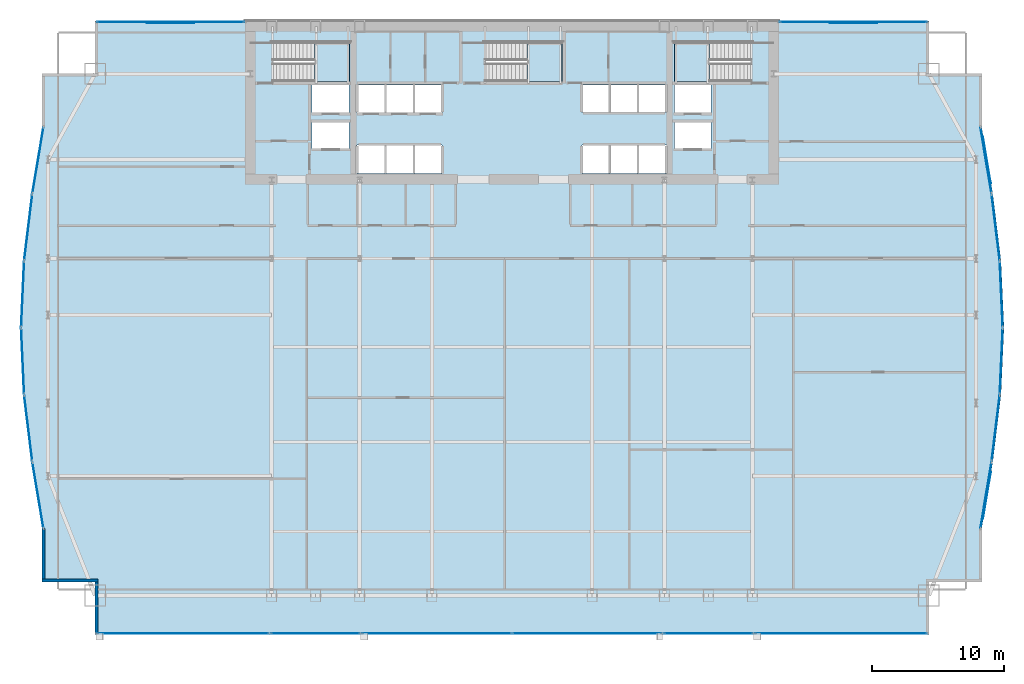
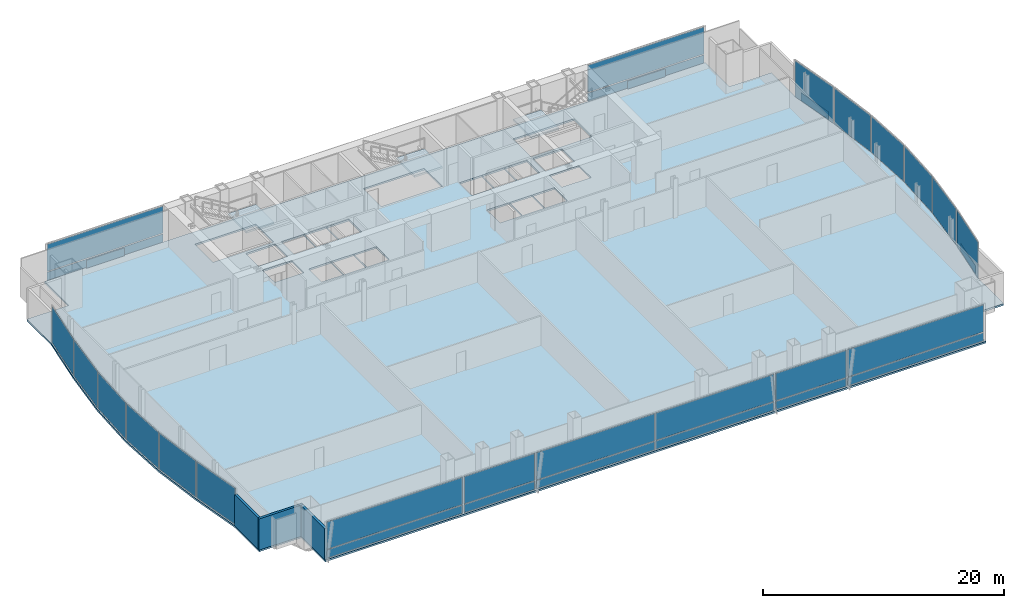
# One storey, part 25 of 32: 32 plates, 4 slabs, 3 walls, 22 elements without a shape of their own.
"""IFC4 building model written with IfcOpenShell, lengths in metres."""

from ifc_helpers import new_model, si_unit, direction, frame, frame_2d, origin, origin_2d, place, context, subcontext, project, spatial, polyline, rectangle, outline, extrude, material, layer, layer_set, type_object, element, aggregate, save


model = new_model("IFC4")

# Units and contexts
model_context = context("Model", 3, precision=1e-05, world=origin(), true_north=direction((0.0, 1.0)))
body_context = subcontext(model_context, "Body", "Model", "MODEL_VIEW")
ifc_project = project(units=[si_unit("LENGTHUNIT", "METRE"), si_unit("AREAUNIT", "SQUARE_METRE"), si_unit("VOLUMEUNIT", "CUBIC_METRE"), si_unit("PLANEANGLEUNIT", "RADIAN"), si_unit("MASSUNIT", "GRAM", prefix="KILO")], contexts=[model_context])

# Site, building, storey
site_placement = place(None, origin())
site = spatial("IfcSite", under=ifc_project, at=site_placement, CompositionType="ELEMENT")
building_placement = place(site_placement, origin())
building = spatial("IfcBuilding", under=site, at=building_placement, Name="Khoronbel Lancet Exchange", CompositionType="ELEMENT")
storey_placement = place(building_placement, frame((0.0, 0.0, 41.800048828125)))
storey = spatial("IfcBuildingStorey", under=building, at=storey_placement, Name="L09", CompositionType="ELEMENT", Elevation=41.800048828125)

# Curtain wall, plate
ifc_material_1 = material(Name="Low-E Solar Control Insulating Glass", Category="glass")
curtain_wall_type_1 = type_object("IfcCurtainWallType", Name="CW-4", PredefinedType="NOTDEFINED", material=ifc_material_1)
curtain_wall_1_placement = place(storey_placement, origin())
curtain_wall_1 = element("IfcCurtainWall", 1, at=curtain_wall_1_placement, inside=storey, type_object=curtain_wall_type_1, Name="Unitised curtain wall CW-L09-E05", PredefinedType="NOTDEFINED")
ifc_material_2 = material(Name="Bronze-Anodised Aluminium 6063-T6", Category="aluminium")
ifc_layer_1 = layer(ifc_material_2, 0.050048828125, Name="Bronze-Anodised Aluminium 6063-T6")
ifc_layer_set_1 = layer_set([ifc_layer_1], Name="Bronze-Anodised Aluminium 6063-T6")
plate_type_1 = type_object("IfcPlateType", Name="PLT-CSP1", PredefinedType="SHEET", material=ifc_layer_set_1)
plate_1_placement = place(storey_placement, frame((-0.21923828125, 22.835205078125, 0.0849609375), z_axis=(0.0, 0.0, 1.0), x_axis=(-0.121253090432, 0.992621623813, 0.0)))
plate_1 = element("IfcPlate", 2, at=plate_1_placement, type_object=plate_type_1, Name="CW4 panel 1.1", PredefinedType="CURTAIN_PANEL", context=body_context, shape_type="SweptSolid", body=[
    extrude(rectangle(XDim=4.9658203125, YDim=0.0380859375, at=origin_2d()), origin(), (0.0, 0.0, 1.0), 3.64990234375),
])
aggregate(curtain_wall_1, [plate_1])

curtain_wall_2_placement = place(storey_placement, origin())
curtain_wall_2 = element("IfcCurtainWall", 3, at=curtain_wall_2_placement, inside=storey, type_object=curtain_wall_type_1, Name="Unitised curtain wall CW-L09-E06", PredefinedType="NOTDEFINED")
plate_2_placement = place(storey_placement, frame((-0.64306640625, 27.912109375, 0.0849609375), z_axis=(0.0, 0.0, 1.0), x_axis=(-0.044677357922, 0.999001468312, 0.0)))
plate_2 = element("IfcPlate", 4, at=plate_2_placement, type_object=plate_type_1, Name="CW4 panel 1.1", PredefinedType="CURTAIN_PANEL", context=body_context, shape_type="SweptSolid", body=[
    extrude(rectangle(XDim=4.930908203125, YDim=0.0380859375, at=origin_2d()), origin(), (0.0, 0.0, 1.0), 3.64990234375),
])
aggregate(curtain_wall_2, [plate_2])

curtain_wall_3_placement = place(storey_placement, origin())
curtain_wall_3 = element("IfcCurtainWall", 5, at=curtain_wall_3_placement, inside=storey, type_object=curtain_wall_type_1, Name="Unitised curtain wall CW-L09-E07", PredefinedType="NOTDEFINED")
plate_3_placement = place(storey_placement, frame((-0.64306640625, 32.98779296875, 0.0849609375), z_axis=(0.0, 0.0, 1.0), x_axis=(0.044677357922, 0.999001468312, 0.0)))
plate_3 = element("IfcPlate", 6, at=plate_3_placement, type_object=plate_type_1, Name="CW4 panel 1.1", PredefinedType="CURTAIN_PANEL", context=body_context, shape_type="SweptSolid", body=[
    extrude(rectangle(XDim=4.930908203125, YDim=0.0380859375, at=origin_2d()), origin(), (0.0, 0.0, 1.0), 3.64990234375),
])
aggregate(curtain_wall_3, [plate_3])

curtain_wall_4_placement = place(storey_placement, origin())
curtain_wall_4 = element("IfcCurtainWall", 7, at=curtain_wall_4_placement, inside=storey, type_object=curtain_wall_type_1, Name="Unitised curtain wall CW-L09-E08", PredefinedType="NOTDEFINED")
plate_4_placement = place(storey_placement, frame((-0.21923828125, 38.064697265625, 0.0849609375), z_axis=(0.0, 0.0, 1.0), x_axis=(0.121253090432, 0.992621623813, 0.0)))
plate_4 = element("IfcPlate", 8, at=plate_4_placement, type_object=plate_type_1, Name="CW4 panel 1.1", PredefinedType="CURTAIN_PANEL", context=body_context, shape_type="SweptSolid", body=[
    extrude(rectangle(XDim=4.9658203125, YDim=0.0380859375, at=origin_2d()), origin(), (0.0, 0.0, 1.0), 3.64990234375),
])
aggregate(curtain_wall_4, [plate_4])

curtain_wall_type_2 = type_object("IfcCurtainWallType", Name="CW-1", PredefinedType="NOTDEFINED", material=ifc_material_1)
curtain_wall_5_placement = place(storey_placement, origin())
curtain_wall_5 = element("IfcCurtainWall", 9, at=curtain_wall_5_placement, inside=storey, type_object=curtain_wall_type_2, Name="Unitised curtain wall CW-L09-NWFLK", PredefinedType="NOTDEFINED")
plate_5_placement = place(storey_placement, frame((10.580078125, 53.550048828125, 0.0498046875), z_axis=(0.0, 0.0, 1.0), x_axis=(-1.0, 0.0, 0.0)))
plate_5 = element("IfcPlate", 10, at=plate_5_placement, type_object=plate_type_1, Name="Insulated bronze spandrel cassette CW-L09-NWFLK", PredefinedType="SHEET", context=body_context, shape_type="SweptSolid", body=[
    extrude(rectangle(XDim=3.60009765625, YDim=0.050048828125, at=origin_2d()), origin(), (0.0, 0.0, 1.0), 0.800048828125),
])

curtain_wall_6_placement = place(storey_placement, origin())
curtain_wall_6 = element("IfcCurtainWall", 11, at=curtain_wall_6_placement, inside=storey, type_object=curtain_wall_type_2, Name="Unitised curtain wall CW-L09-NEFLK", PredefinedType="NOTDEFINED")
plate_6_placement = place(storey_placement, frame((62.320068359375, 53.550048828125, 0.0498046875), z_axis=(0.0, 0.0, 1.0), x_axis=(-1.0, 0.0, 0.0)))
plate_6 = element("IfcPlate", 12, at=plate_6_placement, type_object=plate_type_1, Name="Insulated bronze spandrel cassette CW-L09-NEFLK", PredefinedType="SHEET", context=body_context, shape_type="SweptSolid", body=[
    extrude(rectangle(XDim=3.60009765625, YDim=0.050048828125, at=origin_2d()), origin(), (0.0, 0.0, 1.0), 0.800048828125),
])

curtain_wall_7_placement = place(storey_placement, origin())
curtain_wall_7 = element("IfcCurtainWall", 13, at=curtain_wall_7_placement, inside=storey, type_object=curtain_wall_type_1, Name="Unitised curtain wall CW-L09-E17", PredefinedType="NOTDEFINED")
plate_7_placement = place(storey_placement, frame((72.44384765625, 43.158203125, 0.0498046875), z_axis=(0.0, 0.0, 1.0), x_axis=(0.164603294624, -0.986359850865, 0.0)))
plate_7 = element("IfcPlate", 14, at=plate_7_placement, type_object=plate_type_1, Name="Insulated bronze spandrel cassette CW-L09-E17", PredefinedType="SHEET", context=body_context, shape_type="SweptSolid", body=[
    extrude(rectangle(XDim=3.60009765625, YDim=0.050048828125, at=origin_2d()), origin(), (0.0, 0.0, 1.0), 0.800048828125),
])

curtain_wall_8_placement = place(storey_placement, origin())
curtain_wall_8 = element("IfcCurtainWall", 15, at=curtain_wall_8_placement, inside=storey, type_object=curtain_wall_type_1, Name="Unitised curtain wall CW-L09-E18", PredefinedType="NOTDEFINED")
plate_8_placement = place(storey_placement, frame((73.119384765625, 38.064697265625, 0.0849609375), z_axis=(0.0, 0.0, 1.0), x_axis=(0.121253090432, -0.992621623813, 0.0)))
plate_8 = element("IfcPlate", 16, at=plate_8_placement, type_object=plate_type_1, Name="CW4 panel 1.1", PredefinedType="CURTAIN_PANEL", context=body_context, shape_type="SweptSolid", body=[
    extrude(rectangle(XDim=4.9658203125, YDim=0.0380859375, at=origin_2d()), origin(), (0.0, 0.0, 1.0), 3.64990234375),
])
aggregate(curtain_wall_8, [plate_8])

curtain_wall_9_placement = place(storey_placement, origin())
curtain_wall_9 = element("IfcCurtainWall", 17, at=curtain_wall_9_placement, inside=storey, type_object=curtain_wall_type_1, Name="Unitised curtain wall CW-L09-E19", PredefinedType="NOTDEFINED")
plate_9_placement = place(storey_placement, frame((73.54296875, 32.98779296875, 0.0849609375), z_axis=(0.0, 0.0, 1.0), x_axis=(0.044677357922, -0.999001468312, 0.0)))
plate_9 = element("IfcPlate", 18, at=plate_9_placement, type_object=plate_type_1, Name="CW4 panel 1.1", PredefinedType="CURTAIN_PANEL", context=body_context, shape_type="SweptSolid", body=[
    extrude(rectangle(XDim=4.930908203125, YDim=0.0380859375, at=origin_2d()), origin(), (0.0, 0.0, 1.0), 3.64990234375),
])
aggregate(curtain_wall_9, [plate_9])

curtain_wall_10_placement = place(storey_placement, origin())
curtain_wall_10 = element("IfcCurtainWall", 19, at=curtain_wall_10_placement, inside=storey, type_object=curtain_wall_type_1, Name="Unitised curtain wall CW-L09-E20", PredefinedType="NOTDEFINED")
plate_10_placement = place(storey_placement, frame((73.54296875, 27.912109375, 0.0849609375), z_axis=(0.0, 0.0, 1.0), x_axis=(-0.044677357922, -0.999001468312, 0.0)))
plate_10 = element("IfcPlate", 20, at=plate_10_placement, type_object=plate_type_1, Name="CW4 panel 1.1", PredefinedType="CURTAIN_PANEL", context=body_context, shape_type="SweptSolid", body=[
    extrude(rectangle(XDim=4.930908203125, YDim=0.0380859375, at=origin_2d()), origin(), (0.0, 0.0, 1.0), 3.64990234375),
])
aggregate(curtain_wall_10, [plate_10])

curtain_wall_11_placement = place(storey_placement, origin())
curtain_wall_11 = element("IfcCurtainWall", 21, at=curtain_wall_11_placement, inside=storey, type_object=curtain_wall_type_1, Name="Unitised curtain wall CW-L09-E21", PredefinedType="NOTDEFINED")
plate_11_placement = place(storey_placement, frame((73.119384765625, 22.835205078125, 0.0849609375), z_axis=(0.0, 0.0, 1.0), x_axis=(-0.121253090432, -0.992621623813, 0.0)))
plate_11 = element("IfcPlate", 22, at=plate_11_placement, type_object=plate_type_1, Name="CW4 panel 1.1", PredefinedType="CURTAIN_PANEL", context=body_context, shape_type="SweptSolid", body=[
    extrude(rectangle(XDim=4.9658203125, YDim=0.0380859375, at=origin_2d()), origin(), (0.0, 0.0, 1.0), 3.64990234375),
])
aggregate(curtain_wall_11, [plate_11])

curtain_wall_12_placement = place(storey_placement, origin())
curtain_wall_12 = element("IfcCurtainWall", 23, at=curtain_wall_12_placement, inside=storey, type_object=curtain_wall_type_1, Name="Unitised curtain wall CW-L09-E22", PredefinedType="NOTDEFINED")
plate_12_placement = place(storey_placement, frame((72.44384765625, 17.741943359375, 0.0498046875), z_axis=(0.0, 0.0, 1.0), x_axis=(-0.164603294624, -0.986359850865, 0.0)))
plate_12 = element("IfcPlate", 24, at=plate_12_placement, type_object=plate_type_1, Name="Insulated bronze spandrel cassette CW-L09-E22", PredefinedType="SHEET", context=body_context, shape_type="SweptSolid", body=[
    extrude(rectangle(XDim=3.60009765625, YDim=0.050048828125, at=origin_2d()), origin(), (0.0, 0.0, 1.0), 0.800048828125),
])

# Curtain wall, plates
curtain_wall_13_placement = place(storey_placement, origin())
curtain_wall_13 = element("IfcCurtainWall", 25, at=curtain_wall_13_placement, inside=storey, type_object=curtain_wall_type_2, Name="Unitised curtain wall CW-L09-SWB", PredefinedType="NOTDEFINED")
plate_13_placement = place(storey_placement, frame((21.550048828125, 7.2900390625, 0.0849609375), z_axis=(0.0, 0.0, 1.0), x_axis=(1.0, 0.0, 0.0)))
plate_13 = element("IfcPlate", 26, at=plate_13_placement, type_object=plate_type_1, Name="CW1 panel 1.1", PredefinedType="CURTAIN_PANEL", context=body_context, shape_type="SweptSolid", body=[
    extrude(rectangle(XDim=6.72998046875, YDim=0.0380859375, at=origin_2d()), origin(), (0.0, 0.0, 1.0), 0.822509765625),
])
plate_14_placement = place(storey_placement, frame((21.550048828125, 7.2900390625, 0.99267578125), z_axis=(0.0, 0.0, 1.0), x_axis=(1.0, 0.0, 0.0)))
plate_14 = element("IfcPlate", 27, at=plate_14_placement, type_object=plate_type_1, Name="CW1 panel 1.2", PredefinedType="CURTAIN_PANEL", context=body_context, shape_type="SweptSolid", body=[
    extrude(rectangle(XDim=6.72998046875, YDim=0.0380859375, at=origin_2d()), origin(), (0.0, 0.0, 1.0), 2.742431640625),
])
aggregate(curtain_wall_13, [plate_13, plate_14])

curtain_wall_14_placement = place(storey_placement, origin())
curtain_wall_14 = element("IfcCurtainWall", 28, at=curtain_wall_14_placement, inside=storey, type_object=curtain_wall_type_2, Name="Unitised curtain wall CW-L09-SEB", PredefinedType="NOTDEFINED")
plate_15_placement = place(storey_placement, frame((51.35009765625, 7.2900390625, 0.0849609375), z_axis=(0.0, 0.0, 1.0), x_axis=(1.0, 0.0, 0.0)))
plate_15 = element("IfcPlate", 29, at=plate_15_placement, type_object=plate_type_1, Name="CW1 panel 1.1", PredefinedType="CURTAIN_PANEL", context=body_context, shape_type="SweptSolid", body=[
    extrude(rectangle(XDim=6.72998046875, YDim=0.0380859375, at=origin_2d()), origin(), (0.0, 0.0, 1.0), 0.822509765625),
])
plate_16_placement = place(storey_placement, frame((51.35009765625, 7.2900390625, 0.99267578125), z_axis=(0.0, 0.0, 1.0), x_axis=(1.0, 0.0, 0.0)))
plate_16 = element("IfcPlate", 30, at=plate_16_placement, type_object=plate_type_1, Name="CW1 panel 1.2", PredefinedType="CURTAIN_PANEL", context=body_context, shape_type="SweptSolid", body=[
    extrude(rectangle(XDim=6.72998046875, YDim=0.0380859375, at=origin_2d()), origin(), (0.0, 0.0, 1.0), 2.742431640625),
])
aggregate(curtain_wall_14, [plate_15, plate_16])

# Plate
ifc_layer_2 = layer(ifc_material_1, 0.035888671875, Name="Low-E Solar Control Insulating Glass")
ifc_layer_set_2 = layer_set([ifc_layer_2], Name="Low-E Solar Control Insulating Glass")
plate_type_2 = type_object("IfcPlateType", Name="PLT-CWP1", PredefinedType="CURTAIN_PANEL", material=ifc_layer_set_2)
plate_17_placement = place(storey_placement, frame((10.580078125, 53.610107421875, 0.0849609375), z_axis=(0.0, 0.0, 1.0), x_axis=(-1.0, 0.0, 0.0)))
plate_17 = element("IfcPlate", 31, at=plate_17_placement, type_object=plate_type_2, Name="CW1 panel 1.1", PredefinedType="CURTAIN_PANEL", context=body_context, shape_type="SweptSolid", body=[
    extrude(rectangle(XDim=11.110107421875, YDim=0.0380859375, at=origin_2d()), origin(), (0.0, 0.0, 1.0), 0.822509765625),
])

plate_18_placement = place(storey_placement, frame((10.580078125, 53.610107421875, 0.99267578125), z_axis=(0.0, 0.0, 1.0), x_axis=(-1.0, 0.0, 0.0)))
plate_18 = element("IfcPlate", 32, at=plate_18_placement, type_object=plate_type_2, Name="CW1 panel 1.2", PredefinedType="CURTAIN_PANEL", context=body_context, shape_type="SweptSolid", body=[
    extrude(rectangle(XDim=11.110107421875, YDim=0.0380859375, at=origin_2d()), origin(), (0.0, 0.0, 1.0), 2.742431640625),
])

aggregate(curtain_wall_5, [plate_17, plate_18, plate_5])

plate_19_placement = place(storey_placement, frame((62.320068359375, 53.610107421875, 0.0849609375), z_axis=(0.0, 0.0, 1.0), x_axis=(-1.0, 0.0, 0.0)))
plate_19 = element("IfcPlate", 33, at=plate_19_placement, type_object=plate_type_2, Name="CW1 panel 1.1", PredefinedType="CURTAIN_PANEL", context=body_context, shape_type="SweptSolid", body=[
    extrude(rectangle(XDim=11.110107421875, YDim=0.0380859375, at=origin_2d()), origin(), (0.0, 0.0, 1.0), 0.822509765625),
])

plate_20_placement = place(storey_placement, frame((62.320068359375, 53.610107421875, 0.99267578125), z_axis=(0.0, 0.0, 1.0), x_axis=(-1.0, 0.0, 0.0)))
plate_20 = element("IfcPlate", 34, at=plate_20_placement, type_object=plate_type_2, Name="CW1 panel 1.2", PredefinedType="CURTAIN_PANEL", context=body_context, shape_type="SweptSolid", body=[
    extrude(rectangle(XDim=11.110107421875, YDim=0.0380859375, at=origin_2d()), origin(), (0.0, 0.0, 1.0), 2.742431640625),
])

aggregate(curtain_wall_6, [plate_19, plate_20, plate_6])

# Curtain wall, plates
curtain_wall_15_placement = place(storey_placement, origin())
curtain_wall_15 = element("IfcCurtainWall", 35, at=curtain_wall_15_placement, inside=storey, type_object=curtain_wall_type_2, Name="Unitised curtain wall CW-L09-SWV", PredefinedType="NOTDEFINED")
plate_21_placement = place(storey_placement, frame((11.52001953125, 7.2900390625, 0.0849609375), z_axis=(0.0, 0.0, 1.0), x_axis=(1.0, 0.0, 0.0)))
plate_21 = element("IfcPlate", 36, at=plate_21_placement, type_object=plate_type_2, Name="CW1 panel 1.1", PredefinedType="CURTAIN_PANEL", context=body_context, shape_type="SweptSolid", body=[
    extrude(rectangle(XDim=12.989990234375, YDim=0.0380859375, at=origin_2d()), origin(), (0.0, 0.0, 1.0), 0.822509765625),
])
plate_22_placement = place(storey_placement, frame((11.52001953125, 7.2900390625, 0.99267578125), z_axis=(0.0, 0.0, 1.0), x_axis=(1.0, 0.0, 0.0)))
plate_22 = element("IfcPlate", 37, at=plate_22_placement, type_object=plate_type_2, Name="CW1 panel 1.2", PredefinedType="CURTAIN_PANEL", context=body_context, shape_type="SweptSolid", body=[
    extrude(rectangle(XDim=12.989990234375, YDim=0.0380859375, at=origin_2d()), origin(), (0.0, 0.0, 1.0), 2.742431640625),
])
aggregate(curtain_wall_15, [plate_21, plate_22])

curtain_wall_16_placement = place(storey_placement, origin())
curtain_wall_16 = element("IfcCurtainWall", 38, at=curtain_wall_16_placement, inside=storey, type_object=curtain_wall_type_2, Name="Unitised curtain wall CW-L09-SCV", PredefinedType="NOTDEFINED")
plate_23_placement = place(storey_placement, frame((30.746337890625, 7.2900390625, 0.0849609375), z_axis=(0.0, 0.0, 1.0), x_axis=(1.0, 0.0, 0.0)))
plate_23 = element("IfcPlate", 39, at=plate_23_placement, type_object=plate_type_2, Name="CW1 panel 1.1", PredefinedType="CURTAIN_PANEL", context=body_context, shape_type="SweptSolid", body=[
    extrude(rectangle(XDim=11.322509765625, YDim=0.0380859375, at=origin_2d()), origin(), (0.0, 0.0, 1.0), 0.822509765625),
])
plate_24_placement = place(storey_placement, frame((30.746337890625, 7.2900390625, 0.99267578125), z_axis=(0.0, 0.0, 1.0), x_axis=(1.0, 0.0, 0.0)))
plate_24 = element("IfcPlate", 40, at=plate_24_placement, type_object=plate_type_2, Name="CW1 panel 1.2", PredefinedType="CURTAIN_PANEL", context=body_context, shape_type="SweptSolid", body=[
    extrude(rectangle(XDim=11.322509765625, YDim=0.0380859375, at=origin_2d()), origin(), (0.0, 0.0, 1.0), 2.742431640625),
])
plate_25_placement = place(storey_placement, frame((42.15380859375, 7.2900390625, 0.0849609375), z_axis=(0.0, 0.0, 1.0), x_axis=(1.0, 0.0, 0.0)))
plate_25 = element("IfcPlate", 41, at=plate_25_placement, type_object=plate_type_2, Name="CW1 panel 2.1", PredefinedType="CURTAIN_PANEL", context=body_context, shape_type="SweptSolid", body=[
    extrude(rectangle(XDim=11.322509765625, YDim=0.0380859375, at=origin_2d()), origin(), (0.0, 0.0, 1.0), 0.822509765625),
])
plate_26_placement = place(storey_placement, frame((42.15380859375, 7.2900390625, 0.99267578125), z_axis=(0.0, 0.0, 1.0), x_axis=(1.0, 0.0, 0.0)))
plate_26 = element("IfcPlate", 42, at=plate_26_placement, type_object=plate_type_2, Name="CW1 panel 2.2", PredefinedType="CURTAIN_PANEL", context=body_context, shape_type="SweptSolid", body=[
    extrude(rectangle(XDim=11.322509765625, YDim=0.0380859375, at=origin_2d()), origin(), (0.0, 0.0, 1.0), 2.742431640625),
])
aggregate(curtain_wall_16, [plate_23, plate_24, plate_25, plate_26])

curtain_wall_17_placement = place(storey_placement, origin())
curtain_wall_17 = element("IfcCurtainWall", 43, at=curtain_wall_17_placement, inside=storey, type_object=curtain_wall_type_2, Name="Unitised curtain wall CW-L09-SEV", PredefinedType="NOTDEFINED")
plate_27_placement = place(storey_placement, frame((61.3798828125, 7.2900390625, 0.0849609375), z_axis=(0.0, 0.0, 1.0), x_axis=(1.0, 0.0, 0.0)))
plate_27 = element("IfcPlate", 44, at=plate_27_placement, type_object=plate_type_2, Name="CW1 panel 1.1", PredefinedType="CURTAIN_PANEL", context=body_context, shape_type="SweptSolid", body=[
    extrude(rectangle(XDim=12.989990234375, YDim=0.0380859375, at=origin_2d()), origin(), (0.0, 0.0, 1.0), 0.822509765625),
])
plate_28_placement = place(storey_placement, frame((61.3798828125, 7.2900390625, 0.99267578125), z_axis=(0.0, 0.0, 1.0), x_axis=(1.0, 0.0, 0.0)))
plate_28 = element("IfcPlate", 45, at=plate_28_placement, type_object=plate_type_2, Name="CW1 panel 1.2", PredefinedType="CURTAIN_PANEL", context=body_context, shape_type="SweptSolid", body=[
    extrude(rectangle(XDim=12.989990234375, YDim=0.0380859375, at=origin_2d()), origin(), (0.0, 0.0, 1.0), 2.742431640625),
])
aggregate(curtain_wall_17, [plate_27, plate_28])

# Curtain wall, plate
curtain_wall_18_placement = place(storey_placement, origin())
curtain_wall_18 = element("IfcCurtainWall", 46, at=curtain_wall_18_placement, inside=storey, type_object=curtain_wall_type_1, Name="Unitised curtain wall CW-L09-E04", PredefinedType="NOTDEFINED")
ifc_material_3 = material(Name="Ceramic-Fritted Laminated Insulating Glass", Category="glass")
ifc_layer_3 = layer(ifc_material_3, 0.0419921875, Name="Ceramic-Fritted Laminated Insulating Glass")
ifc_layer_set_3 = layer_set([ifc_layer_3], Name="Ceramic-Fritted Laminated Insulating Glass")
plate_type_3 = type_object("IfcPlateType", Name="PLT-CWP2", PredefinedType="CURTAIN_PANEL", material=ifc_layer_set_3)
plate_29_placement = place(storey_placement, frame((0.515380859375, 17.751953125, 0.0849609375), z_axis=(0.0, 0.0, 1.0), x_axis=(-0.164603294624, 0.986359850865, 0.0)))
plate_29 = element("IfcPlate", 47, at=plate_29_placement, type_object=plate_type_3, Name="CW4 panel 1.1", PredefinedType="CURTAIN_PANEL", context=body_context, shape_type="SweptSolid", body=[
    extrude(rectangle(XDim=5.009033203125, YDim=0.0380859375, at=origin_2d()), origin(), (0.0, 0.0, 1.0), 3.64990234375),
])
aggregate(curtain_wall_18, [plate_29])

curtain_wall_19_placement = place(storey_placement, origin())
curtain_wall_19 = element("IfcCurtainWall", 48, at=curtain_wall_19_placement, inside=storey, type_object=curtain_wall_type_1, Name="Unitised curtain wall CW-L09-E09", PredefinedType="NOTDEFINED")
plate_30_placement = place(storey_placement, frame((0.515380859375, 43.148193359375, 0.0849609375), z_axis=(0.0, 0.0, 1.0), x_axis=(0.164603294624, 0.986359850865, 0.0)))
plate_30 = element("IfcPlate", 49, at=plate_30_placement, type_object=plate_type_3, Name="CW4 panel 1.1", PredefinedType="CURTAIN_PANEL", context=body_context, shape_type="SweptSolid", body=[
    extrude(rectangle(XDim=5.009033203125, YDim=0.0380859375, at=origin_2d()), origin(), (0.0, 0.0, 1.0), 3.64990234375),
])
aggregate(curtain_wall_19, [plate_30])

# Plate
plate_31_placement = place(storey_placement, frame((72.384521484375, 43.148193359375, 0.0849609375), z_axis=(0.0, 0.0, 1.0), x_axis=(0.164603294624, -0.986359850865, 0.0)))
plate_31 = element("IfcPlate", 50, at=plate_31_placement, type_object=plate_type_3, Name="CW4 panel 1.1", PredefinedType="CURTAIN_PANEL", context=body_context, shape_type="SweptSolid", body=[
    extrude(rectangle(XDim=5.009033203125, YDim=0.0380859375, at=origin_2d()), origin(), (0.0, 0.0, 1.0), 3.64990234375),
])

aggregate(curtain_wall_7, [plate_31, plate_7])

plate_32_placement = place(storey_placement, frame((72.384521484375, 17.751953125, 0.0849609375), z_axis=(0.0, 0.0, 1.0), x_axis=(-0.164603294624, -0.986359850865, 0.0)))
plate_32 = element("IfcPlate", 51, at=plate_32_placement, type_object=plate_type_3, Name="CW4 panel 1.1", PredefinedType="CURTAIN_PANEL", context=body_context, shape_type="SweptSolid", body=[
    extrude(rectangle(XDim=5.009033203125, YDim=0.0380859375, at=origin_2d()), origin(), (0.0, 0.0, 1.0), 3.64990234375),
])

aggregate(curtain_wall_12, [plate_32, plate_12])

# Slab
ifc_material_4 = material(Name="Concrete C40/50", Category="concrete")
ifc_layer_4 = layer(ifc_material_4, 0.179931640625, Name="Concrete C40/50")
ifc_layer_set_4 = layer_set([ifc_layer_4], Name="Concrete C40/50")
slab_type_1 = type_object("IfcSlabType", Name="SL-FL180", PredefinedType="FLOOR", material=ifc_layer_set_4)
slab_1_placement = place(storey_placement, frame((0.0, 0.0, -0.179931640625)))
element("IfcSlab", 52, at=slab_1_placement, inside=storey, type_object=slab_type_1, Name="Level L09 composite structural floor slab", PredefinedType="FLOOR", context=body_context, shape_type="SweptSolid", body=[
    extrude(outline(polyline([(4.85009765625, 7.199951171875), (68.050048828125, 7.199951171875), (68.050048828125, 11.199951171875), (72.050048828125, 11.199951171875), (72.050048828125, 15.199951171875), (72.898193359375, 20.283203125), (73.519287109375, 25.36669921875), (73.74658203125, 30.449951171875), (73.519287109375, 35.533203125), (72.898193359375, 40.61669921875), (72.050048828125, 45.699951171875), (72.050048828125, 49.699951171875), (68.050048828125, 49.699951171875), (68.050048828125, 53.699951171875), (4.85009765625, 53.699951171875), (4.85009765625, 49.699951171875), (0.85009765625, 49.699951171875), (0.85009765625, 45.699951171875), (0.001708984375, 40.61669921875), (-0.619384765625, 35.533203125), (-0.8466796875, 30.449951171875), (-0.619384765625, 25.36669921875), (0.001708984375, 20.283203125), (0.85009765625, 15.199951171875), (0.85009765625, 11.199951171875), (4.85009765625, 11.199951171875), (4.85009765625, 7.199951171875)]), holes=[polyline([(18.324951171875, 49.1201171875), (24.14990234375, 49.1201171875), (24.14990234375, 52.10009765625), (18.324951171875, 52.10009765625), (18.324951171875, 49.1201171875)]), polyline([(48.75, 49.1201171875), (54.574951171875, 49.1201171875), (54.574951171875, 52.10009765625), (48.75, 52.10009765625), (48.75, 49.1201171875)]), polyline([(34.425048828125, 49.1201171875), (40.25, 49.1201171875), (40.25, 52.10009765625), (34.425048828125, 52.10009765625), (34.425048828125, 49.1201171875)]), polyline([(24.699951171875, 46.75), (26.840087890625, 46.75), (26.840087890625, 48.85009765625), (24.699951171875, 48.85009765625), (24.699951171875, 46.75)]), polyline([(26.860107421875, 46.75), (29.0, 46.75), (29.0, 48.85009765625), (26.860107421875, 48.85009765625), (26.860107421875, 46.75)]), polyline([(29.02001953125, 46.75), (31.159912109375, 46.75), (31.159912109375, 48.85009765625), (29.02001953125, 48.85009765625), (29.02001953125, 46.75)]), polyline([(24.699951171875, 42.14990234375), (26.840087890625, 42.14990234375), (26.840087890625, 44.300048828125), (24.699951171875, 44.300048828125), (24.699951171875, 42.14990234375)]), polyline([(26.860107421875, 42.14990234375), (29.0, 42.14990234375), (29.0, 44.300048828125), (26.860107421875, 44.300048828125), (26.860107421875, 42.14990234375)]), polyline([(29.02001953125, 42.14990234375), (31.159912109375, 42.14990234375), (31.159912109375, 44.300048828125), (29.02001953125, 44.300048828125), (29.02001953125, 42.14990234375)]), polyline([(41.739990234375, 46.75), (43.8798828125, 46.75), (43.8798828125, 48.85009765625), (41.739990234375, 48.85009765625), (41.739990234375, 46.75)]), polyline([(43.89990234375, 46.75), (46.0400390625, 46.75), (46.0400390625, 48.85009765625), (43.89990234375, 48.85009765625), (43.89990234375, 46.75)]), polyline([(46.06005859375, 46.75), (48.199951171875, 46.75), (48.199951171875, 48.85009765625), (46.06005859375, 48.85009765625), (46.06005859375, 46.75)]), polyline([(41.739990234375, 42.14990234375), (43.8798828125, 42.14990234375), (43.8798828125, 44.300048828125), (41.739990234375, 44.300048828125), (41.739990234375, 42.14990234375)]), polyline([(43.89990234375, 42.14990234375), (46.0400390625, 42.14990234375), (46.0400390625, 44.300048828125), (43.89990234375, 44.300048828125), (43.89990234375, 42.14990234375)]), polyline([(46.06005859375, 42.14990234375), (48.199951171875, 42.14990234375), (48.199951171875, 44.300048828125), (46.06005859375, 44.300048828125), (46.06005859375, 42.14990234375)]), polyline([(21.300048828125, 46.75), (24.10009765625, 46.75), (24.10009765625, 48.85009765625), (21.300048828125, 48.85009765625), (21.300048828125, 46.75)]), polyline([(48.75, 46.75), (51.550048828125, 46.75), (51.550048828125, 48.85009765625), (48.75, 48.85009765625), (48.75, 46.75)]), polyline([(21.300048828125, 44.050048828125), (24.10009765625, 44.050048828125), (24.10009765625, 46.050048828125), (21.300048828125, 46.050048828125), (21.300048828125, 44.050048828125)]), polyline([(48.75, 44.050048828125), (51.550048828125, 44.050048828125), (51.550048828125, 46.050048828125), (48.75, 46.050048828125), (48.75, 44.050048828125)])]), origin(), (0.0, 0.0, 1.0), 0.179931640625),
])

# Stair, slab
stair_type = type_object("IfcStairType", Name="STR-CORE150", PredefinedType="HALF_TURN_STAIR", material=ifc_material_4)
stair_1_placement = place(storey_placement, origin())
stair_1 = element("IfcStair", 53, at=stair_1_placement, inside=storey, type_object=stair_type, Name="L09 Protected Exit Stair ST1", PredefinedType="HALF_TURN_STAIR")
ifc_layer_5 = layer(ifc_material_4, 0.199951171875, Name="Concrete C40/50")
ifc_layer_set_5 = layer_set([ifc_layer_5], Name="Concrete C40/50")
slab_type_2 = type_object("IfcSlabType", Name="SL-LND180", PredefinedType="LANDING", material=ifc_layer_set_5)
slab_2_placement = place(storey_placement, frame((0.0, 0.0, 1.800048828125)))
slab_2 = element("IfcSlab", 54, at=slab_2_placement, type_object=slab_type_2, Name="ST1 landing 1", PredefinedType="LANDING", context=body_context, shape_type="SweptSolid", body=[
    extrude(outline(polyline([(21.489990234375, 49.1201171875), (24.14990234375, 49.1201171875), (24.14990234375, 52.10009765625), (21.489990234375, 52.10009765625), (21.489990234375, 49.1201171875)])), origin(), (0.0, 0.0, 1.0), 0.199951171875),
])
aggregate(stair_1, [slab_2])

stair_2_placement = place(storey_placement, origin())
stair_2 = element("IfcStair", 55, at=stair_2_placement, inside=storey, type_object=stair_type, Name="L09 Protected Exit Stair ST2", PredefinedType="HALF_TURN_STAIR")
slab_3_placement = place(storey_placement, frame((0.0, 0.0, 1.800048828125)))
slab_3 = element("IfcSlab", 56, at=slab_3_placement, type_object=slab_type_2, Name="ST2 landing 1", PredefinedType="LANDING", context=body_context, shape_type="SweptSolid", body=[
    extrude(outline(polyline([(51.409912109375, 52.10009765625), (48.75, 52.10009765625), (48.75, 49.1201171875), (51.409912109375, 49.1201171875), (51.409912109375, 52.10009765625)])), origin(), (0.0, 0.0, 1.0), 0.199951171875),
])
aggregate(stair_2, [slab_3])

stair_3_placement = place(storey_placement, origin())
stair_3 = element("IfcStair", 57, at=stair_3_placement, inside=storey, type_object=stair_type, Name="L09 Protected Exit Stair ST3", PredefinedType="HALF_TURN_STAIR")
slab_4_placement = place(storey_placement, frame((0.0, 0.0, 1.800048828125)))
slab_4 = element("IfcSlab", 58, at=slab_4_placement, type_object=slab_type_2, Name="ST3 landing 1", PredefinedType="LANDING", context=body_context, shape_type="SweptSolid", body=[
    extrude(outline(polyline([(37.590087890625, 49.1201171875), (40.25, 49.1201171875), (40.25, 52.10009765625), (37.590087890625, 52.10009765625), (37.590087890625, 49.1201171875)])), origin(), (0.0, 0.0, 1.0), 0.199951171875),
])
aggregate(stair_3, [slab_4])

# Walls
ifc_material_5 = material(Name="Precast concrete C40/50", Category="concrete")
ifc_layer_6 = layer(ifc_material_5, 0.25, Name="Precast concrete C40/50")
ifc_layer_set_6 = layer_set([ifc_layer_6], Name="Precast concrete C40/50")
wall_type = type_object("IfcWallType", Name="WL-EXT250", PredefinedType="SOLIDWALL", material=ifc_layer_set_6)
wall_1_placement = place(storey_placement, frame((4.93994140625, 7.27001953125, 0.0), z_axis=(0.0, 0.0, 1.0), x_axis=(0.0, 1.0, 0.0)))
element("IfcWall", 59, at=wall_1_placement, inside=storey, type_object=wall_type, Name="Level L09 notched-corner limestone pier 01", PredefinedType="SOLIDWALL", context=body_context, shape_type="SweptSolid", body=[
    extrude(rectangle(XDim=3.909912109375, YDim=0.219970703125, at=frame_2d((1.955078125, 0.0))), origin(), (0.0, 0.0, 1.0), 3.159912109375),
])
wall_2_placement = place(storey_placement, frame((5.050048828125, 11.2900390625, 0.0), z_axis=(0.0, 0.0, 1.0), x_axis=(-1.0, 0.0, 0.0)))
element("IfcWall", 60, at=wall_2_placement, inside=storey, type_object=wall_type, Name="Level L09 notched-corner limestone pier 02", PredefinedType="SOLIDWALL", context=body_context, shape_type="SweptSolid", body=[
    extrude(rectangle(XDim=4.219970703125, YDim=0.219970703125, at=frame_2d((2.10986328125, 0.0))), origin(), (0.0, 0.0, 1.0), 3.159912109375),
])
wall_3_placement = place(storey_placement, frame((0.93994140625, 11.39990234375, 0.0), z_axis=(0.0, 0.0, 1.0), x_axis=(0.0, 1.0, 0.0)))
element("IfcWall", 61, at=wall_3_placement, inside=storey, type_object=wall_type, Name="Level L09 notched-corner limestone pier 03", PredefinedType="SOLIDWALL", context=body_context, shape_type="SweptSolid", body=[
    extrude(rectangle(XDim=3.82763671875, YDim=0.219970703125, at=frame_2d((1.913818359375, 0.0))), origin(), (0.0, 0.0, 1.0), 3.159912109375),
])

save(model, "model.ifc")
